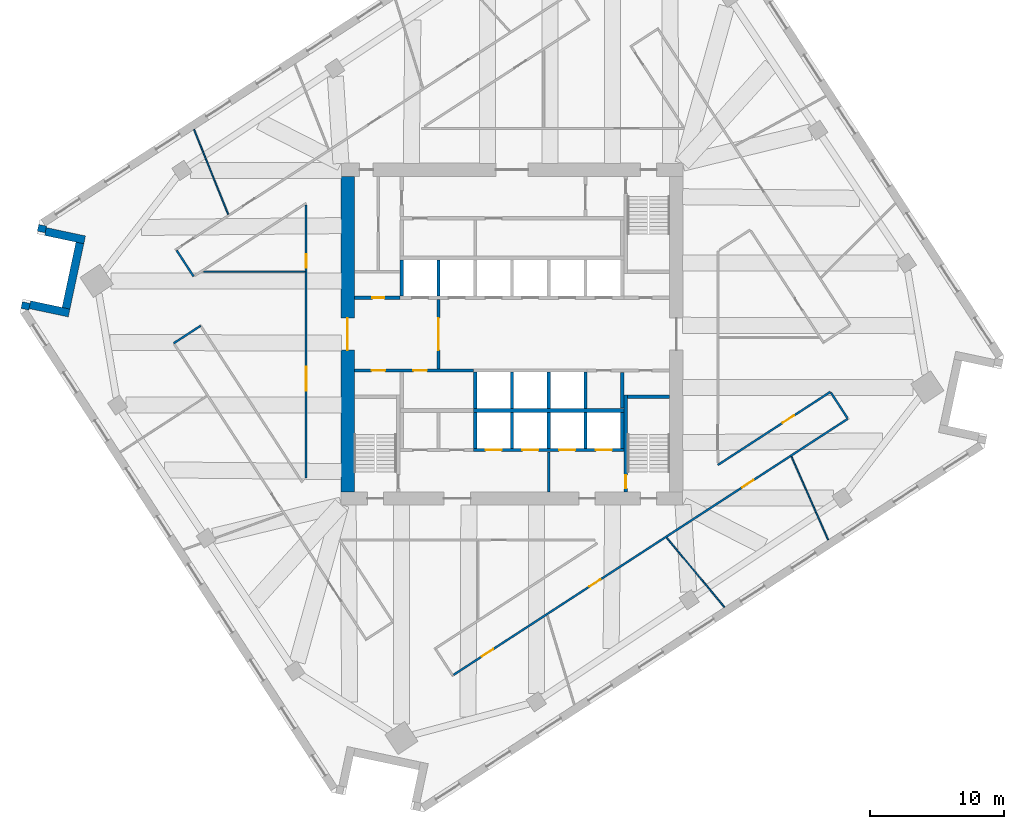
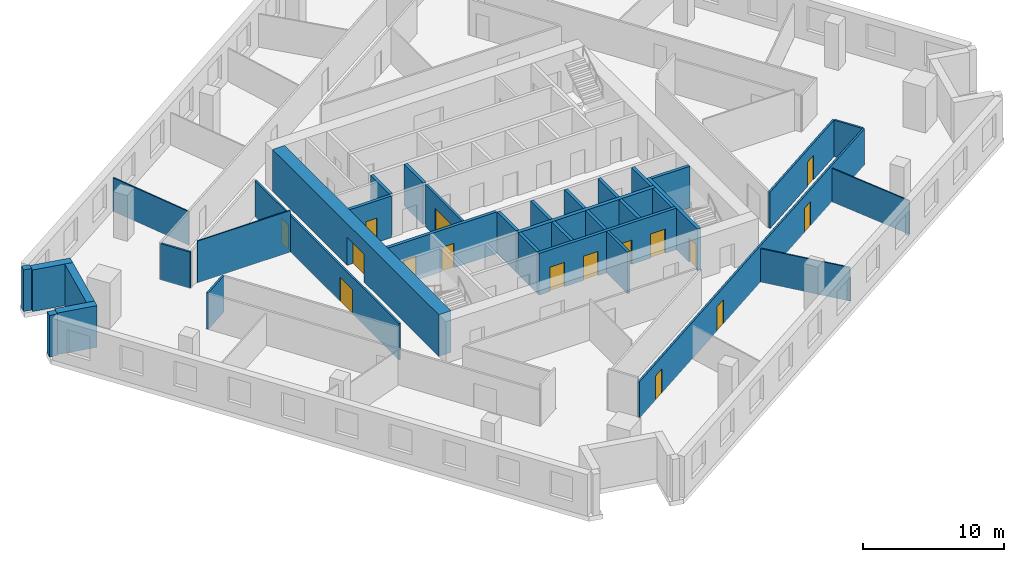
# One storey, part 7 of 12: 36 walls, 16 doors, 16 openings.
"""IFC4 building model written with IfcOpenShell, lengths in metres."""

from ifc_helpers import new_model, si_unit, direction, frame, frame_2d, origin, place, context, subcontext, project, spatial, rectangle, extrude, material, layer, layer_set, type_object, element, fill, save


model = new_model("IFC4")

# Units and contexts
model_context = context("Model", 3, precision=1e-05, world=origin(), true_north=direction((0.0, 1.0)))
body_context = subcontext(model_context, "Body", "Model", "MODEL_VIEW")
ifc_project = project(units=[si_unit("LENGTHUNIT", "METRE"), si_unit("AREAUNIT", "SQUARE_METRE"), si_unit("VOLUMEUNIT", "CUBIC_METRE"), si_unit("PLANEANGLEUNIT", "RADIAN"), si_unit("MASSUNIT", "GRAM", prefix="KILO")], contexts=[model_context])

# Site, building, storey
site_placement = place(None, origin())
site = spatial("IfcSite", under=ifc_project, at=site_placement, CompositionType="ELEMENT")
building_placement = place(site_placement, origin())
building = spatial("IfcBuilding", under=site, at=building_placement, Name="Dilmun Exchange Tower", CompositionType="ELEMENT")
storey_placement = place(building_placement, frame((0.0, 0.0, 155.699951171875)))
storey = spatial("IfcBuildingStorey", under=building, at=storey_placement, Name="L36", CompositionType="ELEMENT", Elevation=155.699951171875)

# Wall
ifc_material_1 = material(Name="Concrete C40/50", Category="concrete")
ifc_layer_1 = layer(ifc_material_1, 0.199951171875)
ifc_layer_set_1 = layer_set([ifc_layer_1], Name="Concrete C40/50")
wall_type_1 = type_object("IfcWallType", Name="Core partition wall 200", PredefinedType="PARTITIONING", material=ifc_layer_set_1)
wall_1_placement = place(storey_placement, frame((2.75, -11.794921875, 0.0), z_axis=(0.0, 0.0, 1.0), x_axis=(0.0, 1.0, 0.0)))
element("IfcWall", 1, at=wall_1_placement, inside=storey, type_object=wall_type_1, Name="L36 core partition wall 01", PredefinedType="PARTITIONING", context=body_context, shape_type="SweptSolid", body=[
    extrude(rectangle(XDim=2.989990234375, YDim=0.199951171875, at=frame_2d((1.4951171875, 0.0))), origin(), (0.0, 0.0, 1.0), 3.60009765625),
])

# Wall, opening, door
wall_2_placement = place(storey_placement, frame((-5.5, -2.594970703125, 0.0), z_axis=(0.0, 0.0, 1.0), x_axis=(0.0, 1.0, 0.0)))
wall_2 = element("IfcWall", 2, at=wall_2_placement, inside=storey, type_object=wall_type_1, Name="L36 core partition wall 10", PredefinedType="PARTITIONING", context=body_context, shape_type="SweptSolid", body=[
    extrude(rectangle(XDim=5.18994140625, YDim=0.199951171875, at=frame_2d((2.594970703125, 0.0))), origin(), (0.0, 0.0, 1.0), 3.60009765625),
])
opening_1_placement = place(wall_2_placement, frame((1.39501953125, 0.0, 0.0)))
opening_1 = element("IfcOpeningElement", 3, at=opening_1_placement, cuts=wall_2, Name="Opening CD1", PredefinedType="OPENING", context=body_context, shape_type="SweptSolid", body=[
    extrude(rectangle(XDim=2.39990234375, YDim=2.39990234375, at=frame_2d((1.199951171875, 1.199951171875))), frame((0.0, 0.10986328125, 0.0), z_axis=(0.0, -1.0, 0.0), x_axis=(1.0, 0.0, 0.0)), (0.0, 0.0, 1.0), 0.219970703125),
])
ifc_material_2 = material(Name="Fire-rated steel door set", Category="steel")
door_type_1 = type_object("IfcDoorType", Name="Core lobby door 2400x2400", OperationType="DOUBLE_DOOR_DOUBLE_SWING", PredefinedType="DOOR", material=ifc_material_2)
door_1_placement = place(opening_1_placement, origin())
door_1 = element("IfcDoor", 4, at=door_1_placement, inside=storey, type_object=door_type_1, Name="L36 door Lift lobby east", OperationType="SINGLE_SWING_LEFT", OverallHeight=2.39990234375, OverallWidth=2.39990234375, PredefinedType="DOOR", context=body_context, shape_type="SweptSolid", body=[
    extrude(rectangle(XDim=2.39990234375, YDim=2.39990234375, at=frame_2d((1.199951171875, 1.199951171875))), frame((0.0, 0.02490234375, 0.0), z_axis=(0.0, -1.0, 0.0), x_axis=(1.0, 0.0, 0.0)), (0.0, 0.0, 1.0), 0.050048828125),
])
fill(opening_1, door_1)

# Wall
ifc_layer_2 = layer(ifc_material_1, 0.25)
ifc_layer_set_2 = layer_set([ifc_layer_2], Name="Concrete C40/50")
wall_type_2 = type_object("IfcWallType", Name="Core partition wall 250", PredefinedType="PARTITIONING", material=ifc_layer_set_2)
wall_3_placement = place(storey_placement, frame((8.25, -5.544921875, 0.0), z_axis=(0.0, 0.0, 1.0), x_axis=(0.0, 1.0, 0.0)))
element("IfcWall", 5, at=wall_3_placement, inside=storey, type_object=wall_type_2, Name="L36 core partition wall 07", PredefinedType="PARTITIONING", context=body_context, shape_type="SweptSolid", body=[
    extrude(rectangle(XDim=2.68994140625, YDim=0.25, at=frame_2d((1.344970703125, 0.0))), origin(), (0.0, 0.0, 1.0), 3.60009765625),
])

# Wall, openings, doors
wall_4_placement = place(storey_placement, frame((-11.794921875, -2.72509765625, 0.0), z_axis=(0.0, 0.0, 1.0), x_axis=(1.0, 0.0, 0.0)))
wall_4 = element("IfcWall", 6, at=wall_4_placement, inside=storey, type_object=wall_type_2, Name="L36 core partition wall 08", PredefinedType="PARTITIONING", context=body_context, shape_type="SweptSolid", body=[
    extrude(rectangle(XDim=8.9150390625, YDim=0.25, at=frame_2d((4.45751953125, 0.0))), origin(), (0.0, 0.0, 1.0), 3.60009765625),
])
opening_2_placement = place(wall_4_placement, frame((1.294921875, 0.0, 0.0)))
opening_2 = element("IfcOpeningElement", 7, at=opening_2_placement, cuts=wall_4, Name="Opening CD4", PredefinedType="OPENING", context=body_context, shape_type="SweptSolid", body=[
    extrude(rectangle(XDim=1.0, YDim=2.10009765625, at=frame_2d((0.5, 1.050048828125))), frame((0.0, 0.135009765625, 0.0), z_axis=(0.0, -1.0, 0.0), x_axis=(1.0, 0.0, 0.0)), (0.0, 0.0, 1.0), 0.27001953125),
])
opening_3_placement = place(wall_4_placement, frame((4.419921875, 0.0, 0.0)))
opening_3 = element("IfcOpeningElement", 8, at=opening_3_placement, cuts=wall_4, Name="Opening CD4", PredefinedType="OPENING", context=body_context, shape_type="SweptSolid", body=[
    extrude(rectangle(XDim=1.0, YDim=2.10009765625, at=frame_2d((0.5, 1.050048828125))), frame((0.0, 0.135009765625, 0.0), z_axis=(0.0, -1.0, 0.0), x_axis=(1.0, 0.0, 0.0)), (0.0, 0.0, 1.0), 0.27001953125),
])
door_type_2 = type_object("IfcDoorType", Name="Core room door 1000x2100", OperationType="SINGLE_SWING_LEFT", PredefinedType="DOOR", material=ifc_material_2)
door_2_placement = place(opening_2_placement, origin())
door_2 = element("IfcDoor", 9, at=door_2_placement, inside=storey, type_object=door_type_2, Name="L36 door Accessible WC", OperationType="SINGLE_SWING_LEFT", OverallHeight=2.10009765625, OverallWidth=1.0, PredefinedType="DOOR", context=body_context, shape_type="SweptSolid", body=[
    extrude(rectangle(XDim=1.0, YDim=2.10009765625, at=frame_2d((0.5, 1.050048828125))), frame((0.0, 0.02490234375, 0.0), z_axis=(0.0, -1.0, 0.0), x_axis=(1.0, 0.0, 0.0)), (0.0, 0.0, 1.0), 0.050048828125),
])
fill(opening_2, door_2)
door_3_placement = place(opening_3_placement, origin())
door_3 = element("IfcDoor", 10, at=door_3_placement, inside=storey, type_object=door_type_2, Name="L36 door Print and mail room", OperationType="SINGLE_SWING_LEFT", OverallHeight=2.10009765625, OverallWidth=1.0, PredefinedType="DOOR", context=body_context, shape_type="SweptSolid", body=[
    extrude(rectangle(XDim=1.0, YDim=2.10009765625, at=frame_2d((0.5, 1.050048828125))), frame((0.0, 0.02490234375, 0.0), z_axis=(0.0, -1.0, 0.0), x_axis=(1.0, 0.0, 0.0)), (0.0, 0.0, 1.0), 0.050048828125),
])
fill(opening_3, door_3)

# Wall, opening, door
wall_5_placement = place(storey_placement, frame((-11.794921875, 2.72509765625, 0.0), z_axis=(0.0, 0.0, 1.0), x_axis=(1.0, 0.0, 0.0)))
wall_5 = element("IfcWall", 11, at=wall_5_placement, inside=storey, type_object=wall_type_2, Name="L36 core partition wall 11", PredefinedType="PARTITIONING", context=body_context, shape_type="SweptSolid", body=[
    extrude(rectangle(XDim=3.4150390625, YDim=0.25, at=frame_2d((1.70751953125, 0.0))), origin(), (0.0, 0.0, 1.0), 3.60009765625),
])
opening_4_placement = place(wall_5_placement, frame((1.344970703125, 0.0, 0.0)))
opening_4 = element("IfcOpeningElement", 12, at=opening_4_placement, cuts=wall_5, Name="Opening CD6", PredefinedType="OPENING", context=body_context, shape_type="SweptSolid", body=[
    extrude(rectangle(XDim=0.89990234375, YDim=2.10009765625, at=frame_2d((0.449951171875, 1.050048828125))), frame((0.0, 0.135009765625, 0.0), z_axis=(0.0, -1.0, 0.0), x_axis=(1.0, 0.0, 0.0)), (0.0, 0.0, 1.0), 0.27001953125),
])
door_type_3 = type_object("IfcDoorType", Name="Core room door 900x2100", OperationType="SINGLE_SWING_LEFT", PredefinedType="DOOR", material=ifc_material_2)
door_4_placement = place(opening_4_placement, origin())
door_4 = element("IfcDoor", 13, at=door_4_placement, inside=storey, type_object=door_type_3, Name="L36 door Plumbing riser", OperationType="SINGLE_SWING_LEFT", OverallHeight=2.10009765625, OverallWidth=0.89990234375, PredefinedType="DOOR", context=body_context, shape_type="SweptSolid", body=[
    extrude(rectangle(XDim=0.89990234375, YDim=2.10009765625, at=frame_2d((0.449951171875, 1.050048828125))), frame((0.0, 0.02490234375, 0.0), z_axis=(0.0, -1.0, 0.0), x_axis=(1.0, 0.0, 0.0)), (0.0, 0.0, 1.0), 0.050048828125),
])
fill(opening_4, door_4)

ifc_material_3 = material(Name="Concrete C70/85", Category="concrete")
ifc_layer_3 = layer(ifc_material_3, 1.0)
ifc_layer_set_3 = layer_set([ifc_layer_3], Name="Concrete C70/85")
wall_type_3 = type_object("IfcWallType", Name="Core shear wall 1000 Concrete C70/85", PredefinedType="SHEAR", material=ifc_layer_set_3)
wall_6_placement = place(storey_placement, frame((-12.300048828125, -11.800048828125, 0.0), z_axis=(0.0, 0.0, 1.0), x_axis=(0.0, 1.0, 0.0)))
wall_6 = element("IfcWall", 14, at=wall_6_placement, inside=storey, type_object=wall_type_3, Name="L36 core shear wall W", PredefinedType="SHEAR", context=body_context, shape_type="SweptSolid", body=[
    extrude(rectangle(XDim=23.60009765625, YDim=1.0, at=frame_2d((11.800048828125, 0.0))), origin(), (0.0, 0.0, 1.0), 3.60009765625),
])
opening_5_placement = place(wall_6_placement, frame((10.60009765625, 0.0, 0.0)))
opening_5 = element("IfcOpeningElement", 15, at=opening_5_placement, cuts=wall_6, Name="Opening CD1", PredefinedType="OPENING", context=body_context, shape_type="SweptSolid", body=[
    extrude(rectangle(XDim=2.39990234375, YDim=2.39990234375, at=frame_2d((1.199951171875, 1.199951171875))), frame((0.0, 0.510009765625, 0.0), z_axis=(0.0, -1.0, 0.0), x_axis=(1.0, 0.0, 0.0)), (0.0, 0.0, 1.0), 1.02001953125),
])
door_5_placement = place(opening_5_placement, origin())
door_5 = element("IfcDoor", 16, at=door_5_placement, inside=storey, type_object=door_type_1, Name="L36 door Central lift lobby", OperationType="SINGLE_SWING_LEFT", OverallHeight=2.39990234375, OverallWidth=2.39990234375, PredefinedType="DOOR", context=body_context, shape_type="SweptSolid", body=[
    extrude(rectangle(XDim=2.39990234375, YDim=2.39990234375, at=frame_2d((1.199951171875, 1.199951171875))), frame((0.0, 0.02490234375, 0.0), z_axis=(0.0, -1.0, 0.0), x_axis=(1.0, 0.0, 0.0)), (0.0, 0.0, 1.0), 0.050048828125),
])
fill(opening_5, door_5)

# Walls
ifc_material_4 = material(Name="Corridor wall 150")
ifc_layer_4 = layer(ifc_material_4, 0.14990234375)
ifc_layer_set_4 = layer_set([ifc_layer_4], Name="Corridor wall 150")
wall_type_4 = type_object("IfcWallType", Name="Corridor wall 150", PredefinedType="PARTITIONING", material=ifc_layer_set_4)
wall_7_placement = place(storey_placement, frame((-25.31201171875, -0.680908203125, 0.0), z_axis=(0.0, 0.0, 1.0), x_axis=(0.838734016275, 0.544541320694, 0.0)))
element("IfcWall", 17, at=wall_7_placement, inside=storey, type_object=wall_type_4, Name="Corridor wall", PredefinedType="PARTITIONING", context=body_context, shape_type="SweptSolid", body=[
    extrude(rectangle(XDim=2.39990234375, YDim=0.14990234375, at=frame_2d((1.199951171875, 0.0))), origin(), (0.0, 0.0, 1.0), 3.150146484375),
])
wall_8_placement = place(storey_placement, frame((-25.093017578125, 6.26806640625, 0.0), z_axis=(0.0, 0.0, 1.0), x_axis=(0.544770485594, -0.838585188294, 0.0)))
element("IfcWall", 18, at=wall_8_placement, inside=storey, type_object=wall_type_4, Name="Corridor wall", PredefinedType="PARTITIONING", context=body_context, shape_type="SweptSolid", body=[
    extrude(rectangle(XDim=2.32421875, YDim=0.14990234375, at=frame_2d((1.162109375, 0.0))), origin(), (0.0, 0.0, 1.0), 3.150146484375),
])

# Wall, openings, doors
wall_9_placement = place(storey_placement, frame((-15.39990234375, -10.772705078125, 0.0), z_axis=(0.0, 0.0, 1.0), x_axis=(0.0, 1.0, 0.0)))
wall_9 = element("IfcWall", 19, at=wall_9_placement, inside=storey, type_object=wall_type_4, Name="Corridor wall", PredefinedType="PARTITIONING", context=body_context, shape_type="SweptSolid", body=[
    extrude(rectangle(XDim=20.425537109375, YDim=0.14990234375, at=frame_2d((10.212890625, 0.0))), origin(), (0.0, 0.0, 1.0), 3.150146484375),
])
opening_6_placement = place(wall_9_placement, frame((6.550048828125, 0.0, 0.0)))
opening_6 = element("IfcOpeningElement", 20, at=opening_6_placement, cuts=wall_9, Name="Opening TF36-D01", PredefinedType="OPENING", context=body_context, shape_type="SweptSolid", body=[
    extrude(rectangle(XDim=1.800048828125, YDim=2.10009765625, at=frame_2d((0.89990234375, 1.050048828125))), frame((0.0, 0.0849609375, 0.0), z_axis=(0.0, -1.0, 0.0), x_axis=(1.0, 0.0, 0.0)), (0.0, 0.0, 1.0), 0.169921875),
])
opening_7_placement = place(wall_9_placement, frame((15.745849609375, 0.0, 0.0)))
opening_7 = element("IfcOpeningElement", 21, at=opening_7_placement, cuts=wall_9, Name="Opening TF36-D05", PredefinedType="OPENING", context=body_context, shape_type="SweptSolid", body=[
    extrude(rectangle(XDim=1.0, YDim=2.10009765625, at=frame_2d((0.5, 1.050048828125))), frame((0.0, 0.0849609375, 0.0), z_axis=(0.0, -1.0, 0.0), x_axis=(1.0, 0.0, 0.0)), (0.0, 0.0, 1.0), 0.169921875),
])
ifc_material_5 = material(Name="Fire door 1000 x 2100")
door_type_4 = type_object("IfcDoorType", Name="Fire door 1000 x 2100", OperationType="NOTDEFINED", PredefinedType="DOOR", material=ifc_material_5)
door_6_placement = place(opening_7_placement, origin())
door_6 = element("IfcDoor", 22, at=door_6_placement, inside=storey, type_object=door_type_4, Name="Door TF36-D05", OperationType="SINGLE_SWING_RIGHT", OverallHeight=2.10009765625, OverallWidth=1.0, PredefinedType="DOOR", context=body_context, shape_type="SweptSolid", body=[
    extrude(rectangle(XDim=1.0, YDim=2.10009765625, at=frame_2d((0.5, 1.050048828125))), frame((0.0, 0.02490234375, 0.0), z_axis=(0.0, -1.0, 0.0), x_axis=(1.0, 0.0, 0.0)), (0.0, 0.0, 1.0), 0.050048828125),
])
fill(opening_7, door_6)
ifc_material_6 = material(Name="Fire door pair 1800 x 2100")
door_type_5 = type_object("IfcDoorType", Name="Fire door pair 1800 x 2100", OperationType="NOTDEFINED", PredefinedType="DOOR", material=ifc_material_6)
door_7_placement = place(opening_6_placement, origin())
door_7 = element("IfcDoor", 23, at=door_7_placement, inside=storey, type_object=door_type_5, Name="Door TF36-D01", OperationType="DOUBLE_DOOR_SINGLE_SWING", OverallHeight=2.10009765625, OverallWidth=1.800048828125, PredefinedType="DOOR", context=body_context, shape_type="SweptSolid", body=[
    extrude(rectangle(XDim=1.800048828125, YDim=2.10009765625, at=frame_2d((0.89990234375, 1.050048828125))), frame((0.0, 0.02490234375, 0.0), z_axis=(0.0, -1.0, 0.0), x_axis=(1.0, 0.0, 0.0)), (0.0, 0.0, 1.0), 0.050048828125),
])
fill(opening_6, door_7)

wall_10_placement = place(storey_placement, frame((-4.376220703125, -25.49609375, 0.0), z_axis=(0.0, 0.0, 1.0), x_axis=(0.838659454634, 0.544656147631, 0.0)))
wall_10 = element("IfcWall", 24, at=wall_10_placement, inside=storey, type_object=wall_type_4, Name="Corridor wall", PredefinedType="PARTITIONING", context=body_context, shape_type="SweptSolid", body=[
    extrude(rectangle(XDim=35.1875, YDim=0.14990234375, at=frame_2d((17.59375, 0.0))), origin(), (0.0, 0.0, 1.0), 3.150146484375),
])
opening_8_placement = place(wall_10_placement, frame((2.550048828125, 0.0, 0.0)))
opening_8 = element("IfcOpeningElement", 25, at=opening_8_placement, cuts=wall_10, Name="Opening TF36-D08", PredefinedType="OPENING", context=body_context, shape_type="SweptSolid", body=[
    extrude(rectangle(XDim=1.0, YDim=2.10009765625, at=frame_2d((0.5, 1.050048828125))), frame((0.0, 0.0849609375, 0.0), z_axis=(0.0, -1.0, 0.0), x_axis=(1.0, 0.0, 0.0)), (0.0, 0.0, 1.0), 0.169921875),
])
opening_9_placement = place(wall_10_placement, frame((12.126220703125, 0.0, 0.0)))
opening_9 = element("IfcOpeningElement", 26, at=opening_9_placement, cuts=wall_10, Name="Opening TF36-D12", PredefinedType="OPENING", context=body_context, shape_type="SweptSolid", body=[
    extrude(rectangle(XDim=1.0, YDim=2.10009765625, at=frame_2d((0.5, 1.050048828125))), frame((0.0, 0.0849609375, 0.0), z_axis=(0.0, -1.0, 0.0), x_axis=(1.0, 0.0, 0.0)), (0.0, 0.0, 1.0), 0.169921875),
])
opening_10_placement = place(wall_10_placement, frame((25.759033203125, 0.0, 0.0)))
opening_10 = element("IfcOpeningElement", 27, at=opening_10_placement, cuts=wall_10, Name="Opening TF36-D15", PredefinedType="OPENING", context=body_context, shape_type="SweptSolid", body=[
    extrude(rectangle(XDim=1.0, YDim=2.10009765625, at=frame_2d((0.5, 1.050048828125))), frame((0.0, 0.0849609375, 0.0), z_axis=(0.0, -1.0, 0.0), x_axis=(1.0, 0.0, 0.0)), (0.0, 0.0, 1.0), 0.169921875),
])
door_8_placement = place(opening_8_placement, frame((1.0, 0.0, 0.0), z_axis=(0.0, 0.0, 1.0), x_axis=(-1.0, 0.0, 0.0)))
door_8 = element("IfcDoor", 28, at=door_8_placement, inside=storey, type_object=door_type_4, Name="Door TF36-D08", OperationType="SINGLE_SWING_LEFT", OverallHeight=2.10009765625, OverallWidth=1.0, PredefinedType="DOOR", context=body_context, shape_type="SweptSolid", body=[
    extrude(rectangle(XDim=1.0, YDim=2.10009765625, at=frame_2d((0.5, 1.050048828125))), frame((0.0, 0.02490234375, 0.0), z_axis=(0.0, -1.0, 0.0), x_axis=(1.0, 0.0, 0.0)), (0.0, 0.0, 1.0), 0.050048828125),
])
fill(opening_8, door_8)
door_9_placement = place(opening_9_placement, frame((1.0, 0.0, 0.0), z_axis=(0.0, 0.0, 1.0), x_axis=(-1.0, 0.0, 0.0)))
door_9 = element("IfcDoor", 29, at=door_9_placement, inside=storey, type_object=door_type_4, Name="Door TF36-D12", OperationType="SINGLE_SWING_LEFT", OverallHeight=2.10009765625, OverallWidth=1.0, PredefinedType="DOOR", context=body_context, shape_type="SweptSolid", body=[
    extrude(rectangle(XDim=1.0, YDim=2.10009765625, at=frame_2d((0.5, 1.050048828125))), frame((0.0, 0.02490234375, 0.0), z_axis=(0.0, -1.0, 0.0), x_axis=(1.0, 0.0, 0.0)), (0.0, 0.0, 1.0), 0.050048828125),
])
fill(opening_9, door_9)
door_10_placement = place(opening_10_placement, frame((1.0, 0.0, 0.0), z_axis=(0.0, 0.0, 1.0), x_axis=(-1.0, 0.0, 0.0)))
door_10 = element("IfcDoor", 30, at=door_10_placement, inside=storey, type_object=door_type_4, Name="Door TF36-D15", OperationType="SINGLE_SWING_RIGHT", OverallHeight=2.10009765625, OverallWidth=1.0, PredefinedType="DOOR", context=body_context, shape_type="SweptSolid", body=[
    extrude(rectangle(XDim=1.0, YDim=2.10009765625, at=frame_2d((0.5, 1.050048828125))), frame((0.0, 0.02490234375, 0.0), z_axis=(0.0, -1.0, 0.0), x_axis=(1.0, 0.0, 0.0)), (0.0, 0.0, 1.0), 0.050048828125),
])
fill(opening_10, door_10)

# Wall, opening, door
wall_11_placement = place(storey_placement, frame((15.39990234375, -9.791015625, 0.0), z_axis=(0.0, 0.0, 1.0), x_axis=(0.838699444503, 0.544594566435, 0.0)))
wall_11 = element("IfcWall", 31, at=wall_11_placement, inside=storey, type_object=wall_type_4, Name="Corridor wall", PredefinedType="PARTITIONING", context=body_context, shape_type="SweptSolid", body=[
    extrude(rectangle(XDim=10.047607421875, YDim=0.14990234375, at=frame_2d((5.02392578125, 0.0))), origin(), (0.0, 0.0, 1.0), 3.150146484375),
])
opening_11_placement = place(wall_11_placement, frame((5.800048828125, 0.0, 0.0)))
opening_11 = element("IfcOpeningElement", 32, at=opening_11_placement, cuts=wall_11, Name="Opening TF36-D19", PredefinedType="OPENING", context=body_context, shape_type="SweptSolid", body=[
    extrude(rectangle(XDim=1.0, YDim=2.10009765625, at=frame_2d((0.5, 1.050048828125))), frame((0.0, 0.0849609375, 0.0), z_axis=(0.0, -1.0, 0.0), x_axis=(1.0, 0.0, 0.0)), (0.0, 0.0, 1.0), 0.169921875),
])
door_11_placement = place(opening_11_placement, origin())
door_11 = element("IfcDoor", 33, at=door_11_placement, inside=storey, type_object=door_type_4, Name="Door TF36-D19", OperationType="SINGLE_SWING_RIGHT", OverallHeight=2.10009765625, OverallWidth=1.0, PredefinedType="DOOR", context=body_context, shape_type="SweptSolid", body=[
    extrude(rectangle(XDim=1.0, YDim=2.10009765625, at=frame_2d((0.5, 1.050048828125))), frame((0.0, 0.02490234375, 0.0), z_axis=(0.0, -1.0, 0.0), x_axis=(1.0, 0.0, 0.0)), (0.0, 0.0, 1.0), 0.050048828125),
])
fill(opening_11, door_11)

# Walls
wall_12_placement = place(storey_placement, frame((23.867919921875, -4.3818359375, 0.0), z_axis=(0.0, 0.0, 1.0), x_axis=(0.544690717141, -0.838637002916, 0.0)))
element("IfcWall", 34, at=wall_12_placement, inside=storey, type_object=wall_type_4, Name="Corridor wall", PredefinedType="PARTITIONING", context=body_context, shape_type="SweptSolid", body=[
    extrude(rectangle(XDim=2.249267578125, YDim=0.14990234375, at=frame_2d((1.12451171875, 0.0))), origin(), (0.0, 0.0, 1.0), 3.150146484375),
])
ifc_layer_5 = layer(ifc_material_1, 0.300048828125)
ifc_layer_set_5 = layer_set([ifc_layer_5], Name="Concrete C40/50")
wall_type_5 = type_object("IfcWallType", Name="Lift shaft shared wall 300", PredefinedType="SOLIDWALL", material=ifc_layer_set_5)
wall_13_placement = place(storey_placement, frame((-2.875, -5.699951171875, 0.0), z_axis=(0.0, 0.0, 1.0), x_axis=(1.0, 0.0, 0.0)))
element("IfcWall", 35, at=wall_13_placement, inside=storey, type_object=wall_type_5, Name="L36 lift shaft rear wall S", PredefinedType="SOLIDWALL", context=body_context, shape_type="SweptSolid", body=[
    extrude(rectangle(XDim=11.25, YDim=0.300048828125, at=frame_2d((5.625, 0.0))), origin(), (0.0, 0.0, 1.0), 3.60009765625),
])
ifc_layer_6 = layer(ifc_material_1, 0.25)
ifc_layer_set_6 = layer_set([ifc_layer_6], Name="Concrete C40/50")
wall_type_6 = type_object("IfcWallType", Name="Lift shaft wall 250", PredefinedType="SOLIDWALL", material=ifc_layer_set_6)
for number, where, z_axis, x_axis, name in (
    (36, (-8.25, 2.85009765625, 0.0), (0.0, 0.0, 1.0), (0.0, 1.0, 0.0), "L36 lift shaft divider N10"),
    (37, (-5.5, 2.85009765625, 0.0), (0.0, 0.0, 1.0), (0.0, 1.0, 0.0), "L36 lift shaft divider N11"),
    (38, (-2.75, -5.550048828125, 0.0), (0.0, 0.0, 1.0), (0.0, 1.0, 0.0), "L36 lift shaft divider S12"),
    (39, (0.0, -5.550048828125, 0.0), (0.0, 0.0, 1.0), (0.0, 1.0, 0.0), "L36 lift shaft divider S13"),
    (40, (2.75, -5.550048828125, 0.0), (0.0, 0.0, 1.0), (0.0, 1.0, 0.0), "L36 lift shaft divider S14"),
    (41, (5.5, -5.550048828125, 0.0), (0.0, 0.0, 1.0), (0.0, 1.0, 0.0), "L36 lift shaft divider S15"),
):
    element("IfcWall", number, at=place(storey_placement, frame(where, z_axis=z_axis, x_axis=x_axis)), inside=storey, type_object=wall_type_6, Name=name, PredefinedType="SOLIDWALL", context=body_context, shape_type="SweptSolid", body=[
        extrude(rectangle(XDim=2.699951171875, YDim=0.25, at=frame_2d((1.35009765625, 0.0))), origin(), (0.0, 0.0, 1.0), 3.60009765625),
    ])

# Wall, openings, doors
wall_14_placement = place(storey_placement, frame((-2.875, -8.675048828125, 0.0), z_axis=(0.0, 0.0, 1.0), x_axis=(1.0, 0.0, 0.0)))
wall_14 = element("IfcWall", 42, at=wall_14_placement, inside=storey, type_object=wall_type_6, Name="L36 lift shaft front wall S2", PredefinedType="SOLIDWALL", context=body_context, shape_type="SweptSolid", body=[
    extrude(rectangle(XDim=11.25, YDim=0.25, at=frame_2d((5.625, 0.0))), origin(), (0.0, 0.0, 1.0), 3.60009765625),
])
opening_12_placement = place(wall_14_placement, frame((0.89990234375, 0.0, 0.0)))
opening_12 = element("IfcOpeningElement", 43, at=opening_12_placement, cuts=wall_14, Name="Opening LD", PredefinedType="OPENING", context=body_context, shape_type="SweptSolid", body=[
    extrude(rectangle(XDim=1.199951171875, YDim=2.10009765625, at=frame_2d((0.60009765625, 1.050048828125))), frame((0.0, 0.135009765625, 0.0), z_axis=(0.0, -1.0, 0.0), x_axis=(1.0, 0.0, 0.0)), (0.0, 0.0, 1.0), 0.27001953125),
])
opening_13_placement = place(wall_14_placement, frame((3.64990234375, 0.0, 0.0)))
opening_13 = element("IfcOpeningElement", 44, at=opening_13_placement, cuts=wall_14, Name="Opening LD", PredefinedType="OPENING", context=body_context, shape_type="SweptSolid", body=[
    extrude(rectangle(XDim=1.199951171875, YDim=2.10009765625, at=frame_2d((0.60009765625, 1.050048828125))), frame((0.0, 0.135009765625, 0.0), z_axis=(0.0, -1.0, 0.0), x_axis=(1.0, 0.0, 0.0)), (0.0, 0.0, 1.0), 0.27001953125),
])
opening_14_placement = place(wall_14_placement, frame((6.39990234375, 0.0, 0.0)))
opening_14 = element("IfcOpeningElement", 45, at=opening_14_placement, cuts=wall_14, Name="Opening LD", PredefinedType="OPENING", context=body_context, shape_type="SweptSolid", body=[
    extrude(rectangle(XDim=1.199951171875, YDim=2.10009765625, at=frame_2d((0.60009765625, 1.050048828125))), frame((0.0, 0.135009765625, 0.0), z_axis=(0.0, -1.0, 0.0), x_axis=(1.0, 0.0, 0.0)), (0.0, 0.0, 1.0), 0.27001953125),
])
opening_15_placement = place(wall_14_placement, frame((9.14990234375, 0.0, 0.0)))
opening_15 = element("IfcOpeningElement", 46, at=opening_15_placement, cuts=wall_14, Name="Opening LD", PredefinedType="OPENING", context=body_context, shape_type="SweptSolid", body=[
    extrude(rectangle(XDim=1.199951171875, YDim=2.10009765625, at=frame_2d((0.60009765625, 1.050048828125))), frame((0.0, 0.135009765625, 0.0), z_axis=(0.0, -1.0, 0.0), x_axis=(1.0, 0.0, 0.0)), (0.0, 0.0, 1.0), 0.27001953125),
])
door_type_6 = type_object("IfcDoorType", Name="Lift landing door 1200x2100", OperationType="DOUBLE_DOOR_SLIDING", PredefinedType="DOOR", material=ifc_material_2)
door_12_placement = place(opening_12_placement, origin())
door_12 = element("IfcDoor", 47, at=door_12_placement, inside=storey, type_object=door_type_6, Name="L36 landing door SV1", OperationType="DOUBLE_DOOR_SLIDING", OverallHeight=2.10009765625, OverallWidth=1.199951171875, PredefinedType="DOOR", context=body_context, shape_type="SweptSolid", body=[
    extrude(rectangle(XDim=1.199951171875, YDim=2.10009765625, at=frame_2d((0.60009765625, 1.050048828125))), frame((0.0, 0.02490234375, 0.0), z_axis=(0.0, -1.0, 0.0), x_axis=(1.0, 0.0, 0.0)), (0.0, 0.0, 1.0), 0.050048828125),
])
fill(opening_12, door_12)
door_13_placement = place(opening_13_placement, origin())
door_13 = element("IfcDoor", 48, at=door_13_placement, inside=storey, type_object=door_type_6, Name="L36 landing door SV2", OperationType="DOUBLE_DOOR_SLIDING", OverallHeight=2.10009765625, OverallWidth=1.199951171875, PredefinedType="DOOR", context=body_context, shape_type="SweptSolid", body=[
    extrude(rectangle(XDim=1.199951171875, YDim=2.10009765625, at=frame_2d((0.60009765625, 1.050048828125))), frame((0.0, 0.02490234375, 0.0), z_axis=(0.0, -1.0, 0.0), x_axis=(1.0, 0.0, 0.0)), (0.0, 0.0, 1.0), 0.050048828125),
])
fill(opening_13, door_13)
door_14_placement = place(opening_14_placement, origin())
door_14 = element("IfcDoor", 49, at=door_14_placement, inside=storey, type_object=door_type_6, Name="L36 landing door FF1", OperationType="DOUBLE_DOOR_SLIDING", OverallHeight=2.10009765625, OverallWidth=1.199951171875, PredefinedType="DOOR", context=body_context, shape_type="SweptSolid", body=[
    extrude(rectangle(XDim=1.199951171875, YDim=2.10009765625, at=frame_2d((0.60009765625, 1.050048828125))), frame((0.0, 0.02490234375, 0.0), z_axis=(0.0, -1.0, 0.0), x_axis=(1.0, 0.0, 0.0)), (0.0, 0.0, 1.0), 0.050048828125),
])
fill(opening_14, door_14)
door_15_placement = place(opening_15_placement, origin())
door_15 = element("IfcDoor", 50, at=door_15_placement, inside=storey, type_object=door_type_6, Name="L36 landing door FF2", OperationType="DOUBLE_DOOR_SLIDING", OverallHeight=2.10009765625, OverallWidth=1.199951171875, PredefinedType="DOOR", context=body_context, shape_type="SweptSolid", body=[
    extrude(rectangle(XDim=1.199951171875, YDim=2.10009765625, at=frame_2d((0.60009765625, 1.050048828125))), frame((0.0, 0.02490234375, 0.0), z_axis=(0.0, -1.0, 0.0), x_axis=(1.0, 0.0, 0.0)), (0.0, 0.0, 1.0), 0.050048828125),
])
fill(opening_15, door_15)

# Walls
for number, where, z_axis, x_axis, name in (
    (51, (-2.75, -8.550048828125, 0.0), (0.0, 0.0, 1.0), (0.0, 1.0, 0.0), "L36 lift shaft divider S22"),
    (52, (0.0, -8.550048828125, 0.0), (0.0, 0.0, 1.0), (0.0, 1.0, 0.0), "L36 lift shaft divider S23"),
    (53, (2.75, -8.550048828125, 0.0), (0.0, 0.0, 1.0), (0.0, 1.0, 0.0), "L36 lift shaft divider S24"),
    (54, (5.5, -8.550048828125, 0.0), (0.0, 0.0, 1.0), (0.0, 1.0, 0.0), "L36 lift shaft divider S25"),
    (55, (8.25, -8.550048828125, 0.0), (0.0, 0.0, 1.0), (0.0, 1.0, 0.0), "L36 lift shaft divider S26"),
):
    element("IfcWall", number, at=place(storey_placement, frame(where, z_axis=z_axis, x_axis=x_axis)), inside=storey, type_object=wall_type_6, Name=name, PredefinedType="SOLIDWALL", context=body_context, shape_type="SweptSolid", body=[
        extrude(rectangle(XDim=2.699951171875, YDim=0.25, at=frame_2d((1.35009765625, 0.0))), origin(), (0.0, 0.0, 1.0), 3.60009765625),
    ])
ifc_material_7 = material(Name="Partition 100")
ifc_layer_7 = layer(ifc_material_7, 0.10009765625)
ifc_layer_set_7 = layer_set([ifc_layer_7], Name="Partition 100")
wall_type_7 = type_object("IfcWallType", Name="Partition 100", PredefinedType="PARTITIONING", material=ifc_layer_set_7)
wall_15_placement = place(storey_placement, frame((-23.791748046875, 15.31005859375, 0.0), z_axis=(0.0, 0.0, 1.0), x_axis=(0.373850501152, -0.927488977179, 0.0)))
element("IfcWall", 56, at=wall_15_placement, inside=storey, type_object=wall_type_7, Name="Partition", PredefinedType="PARTITIONING", context=body_context, shape_type="SweptSolid", body=[
    extrude(rectangle(XDim=6.84130859375, YDim=0.10009765625, at=frame_2d((3.420654296875, 0.0))), origin(), (0.0, 0.0, 1.0), 2.900146484375),
])
wall_16_placement = place(storey_placement, frame((-23.06640625, 4.673095703125, 0.0), z_axis=(0.0, 0.0, 1.0), x_axis=(1.0, 0.0, 0.0)))
element("IfcWall", 57, at=wall_16_placement, inside=storey, type_object=wall_type_7, Name="Partition", PredefinedType="PARTITIONING", context=body_context, shape_type="SweptSolid", body=[
    extrude(rectangle(XDim=7.59130859375, YDim=0.10009765625, at=frame_2d((3.795654296875, 0.0))), origin(), (0.0, 0.0, 1.0), 3.60009765625),
])
wall_17_placement = place(storey_placement, frame((11.575927734375, -15.232666015625, 0.0), z_axis=(0.0, 0.0, 1.0), x_axis=(0.639033492135, -0.769178910222, 0.0)))
element("IfcWall", 58, at=wall_17_placement, inside=storey, type_object=wall_type_7, Name="Partition", PredefinedType="PARTITIONING", context=body_context, shape_type="SweptSolid", body=[
    extrude(rectangle(XDim=6.764404296875, YDim=0.10009765625, at=frame_2d((3.38232421875, 0.0))), origin(), (0.0, 0.0, 1.0), 2.900146484375),
])
wall_18_placement = place(storey_placement, frame((20.910888671875, -9.1728515625, 0.0), z_axis=(0.0, 0.0, 1.0), x_axis=(0.404172925905, -0.914682593015, 0.0)))
element("IfcWall", 59, at=wall_18_placement, inside=storey, type_object=wall_type_7, Name="Partition", PredefinedType="PARTITIONING", context=body_context, shape_type="SweptSolid", body=[
    extrude(rectangle(XDim=6.802734375, YDim=0.10009765625, at=frame_2d((3.4013671875, 0.0))), origin(), (0.0, 0.0, 1.0), 2.900146484375),
])
ifc_material_8 = material(Name="Precast concrete C50/60", Category="concrete")
ifc_layer_8 = layer(ifc_material_8, 0.60009765625)
ifc_layer_set_8 = layer_set([ifc_layer_8], Name="Precast concrete C50/60")
wall_type_8 = type_object("IfcWallType", Name="Precast stone-clad wall 600", PredefinedType="STANDARD", material=ifc_layer_set_8)
wall_19_placement = place(storey_placement, frame((-35.119140625, 8.1455078125, 0.0), z_axis=(0.0, 0.0, 1.0), x_axis=(-0.2081270777, -0.978101794052, 0.0)))
element("IfcWall", 60, at=wall_19_placement, inside=storey, type_object=wall_type_8, Name="Facade wall L36-04", PredefinedType="STANDARD", context=body_context, shape_type="SweptSolid", body=[
    extrude(rectangle(XDim=0.511474609375, YDim=0.60009765625, at=frame_2d((0.255859375, 0.0))), origin(), (0.0, 0.0, 1.0), 3.60009765625),
])
wall_20_placement = place(storey_placement, frame((-34.911376953125, 7.6806640625, 0.0), z_axis=(0.0, 0.0, 1.0), x_axis=(0.978146440129, -0.207917150959, 0.0)))
element("IfcWall", 61, at=wall_20_placement, inside=storey, type_object=wall_type_8, Name="Facade wall L36-05", PredefinedType="STANDARD", context=body_context, shape_type="SweptSolid", body=[
    extrude(rectangle(XDim=3.000244140625, YDim=0.60009765625, at=frame_2d((1.5, 0.0))), origin(), (0.0, 0.0, 1.0), 3.60009765625),
])
wall_21_placement = place(storey_placement, frame((-32.33251953125, 6.825927734375, 0.0), z_axis=(0.0, 0.0, 1.0), x_axis=(-0.207961536619, -0.978137004354, 0.0)))
element("IfcWall", 62, at=wall_21_placement, inside=storey, type_object=wall_type_8, Name="Facade wall L36-06", PredefinedType="STANDARD", context=body_context, shape_type="SweptSolid", body=[
    extrude(rectangle(XDim=5.0, YDim=0.60009765625, at=frame_2d((2.5, 0.0))), origin(), (0.0, 0.0, 1.0), 3.60009765625),
])
wall_22_placement = place(storey_placement, frame((-33.14111328125, 1.579345703125, 0.0), z_axis=(0.0, 0.0, 1.0), x_axis=(-0.978146440129, 0.207917150959, 0.0)))
element("IfcWall", 63, at=wall_22_placement, inside=storey, type_object=wall_type_8, Name="Facade wall L36-07", PredefinedType="STANDARD", context=body_context, shape_type="SweptSolid", body=[
    extrude(rectangle(XDim=3.000244140625, YDim=0.60009765625, at=frame_2d((1.5, 0.0))), origin(), (0.0, 0.0, 1.0), 3.60009765625),
])
wall_23_placement = place(storey_placement, frame((-36.34814453125, 2.36328125, 0.0), z_axis=(0.0, 0.0, 1.0), x_axis=(-0.208224297106, -0.978081102003, 0.0)))
element("IfcWall", 64, at=wall_23_placement, inside=storey, type_object=wall_type_8, Name="Facade wall L36-08", PredefinedType="STANDARD", context=body_context, shape_type="SweptSolid", body=[
    extrude(rectangle(XDim=0.51123046875, YDim=0.60009765625, at=frame_2d((0.255615234375, 0.0))), origin(), (0.0, 0.0, 1.0), 3.60009765625),
])
ifc_layer_9 = layer(ifc_material_1, 0.25)
ifc_layer_set_9 = layer_set([ifc_layer_9], Name="Concrete C40/50")
wall_type_9 = type_object("IfcWallType", Name="Stair end wall 250", PredefinedType="SOLIDWALL", material=ifc_layer_set_9)
wall_24_placement = place(storey_placement, frame((8.64990234375, -4.675048828125, 0.0), z_axis=(0.0, 0.0, 1.0), x_axis=(1.0, 0.0, 0.0)))
element("IfcWall", 65, at=wall_24_placement, inside=storey, type_object=wall_type_9, Name="L36 ST3 far wall", PredefinedType="SOLIDWALL", context=body_context, shape_type="SweptSolid", body=[
    extrude(rectangle(XDim=3.150146484375, YDim=0.25, at=frame_2d((1.5751953125, 0.0))), origin(), (0.0, 0.0, 1.0), 3.60009765625),
])

# Wall, opening, door
ifc_layer_10 = layer(ifc_material_1, 0.27490234375)
ifc_layer_set_10 = layer_set([ifc_layer_10], Name="Concrete C40/50")
wall_type_10 = type_object("IfcWallType", Name="Stair wall 275", PredefinedType="SOLIDWALL", material=ifc_layer_set_10)
wall_25_placement = place(storey_placement, frame((8.512451171875, -4.550048828125, 0.0), z_axis=(0.0, 0.0, 1.0), x_axis=(0.0, -1.0, 0.0)))
wall_25 = element("IfcWall", 66, at=wall_25_placement, inside=storey, type_object=wall_type_10, Name="L36 ST3 wall to lift block", PredefinedType="SOLIDWALL", context=body_context, shape_type="SweptSolid", body=[
    extrude(rectangle(XDim=7.25, YDim=0.27490234375, at=frame_2d((3.625, 0.0))), origin(), (0.0, 0.0, 1.0), 3.60009765625),
])
opening_16_placement = place(wall_25_placement, frame((6.0, 0.0, 0.0)))
opening_16 = element("IfcOpeningElement", 67, at=opening_16_placement, cuts=wall_25, Name="Opening CD4", PredefinedType="OPENING", context=body_context, shape_type="SweptSolid", body=[
    extrude(rectangle(XDim=1.0, YDim=2.10009765625, at=frame_2d((0.5, 1.050048828125))), frame((0.0, 0.1474609375, 0.0), z_axis=(0.0, -1.0, 0.0), x_axis=(1.0, 0.0, 0.0)), (0.0, 0.0, 1.0), 0.294921875),
])
door_16_placement = place(opening_16_placement, origin())
door_16 = element("IfcDoor", 68, at=door_16_placement, inside=storey, type_object=door_type_2, Name="L36 door ST3 from lobby", OperationType="SINGLE_SWING_LEFT", OverallHeight=2.10009765625, OverallWidth=1.0, PredefinedType="DOOR", context=body_context, shape_type="SweptSolid", body=[
    extrude(rectangle(XDim=1.0, YDim=2.10009765625, at=frame_2d((0.5, 1.050048828125))), frame((0.0, 0.02490234375, 0.0), z_axis=(0.0, -1.0, 0.0), x_axis=(1.0, 0.0, 0.0)), (0.0, 0.0, 1.0), 0.050048828125),
])
fill(opening_16, door_16)

save(model, "model.ifc")
